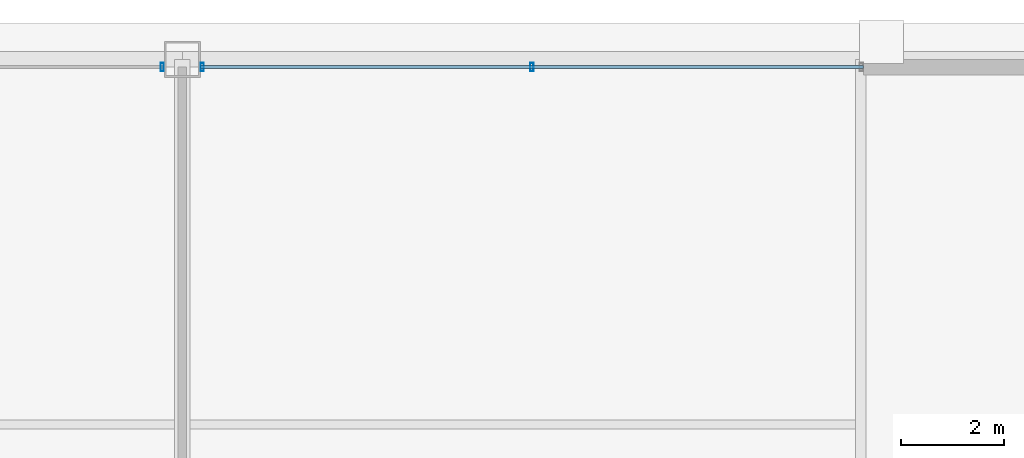
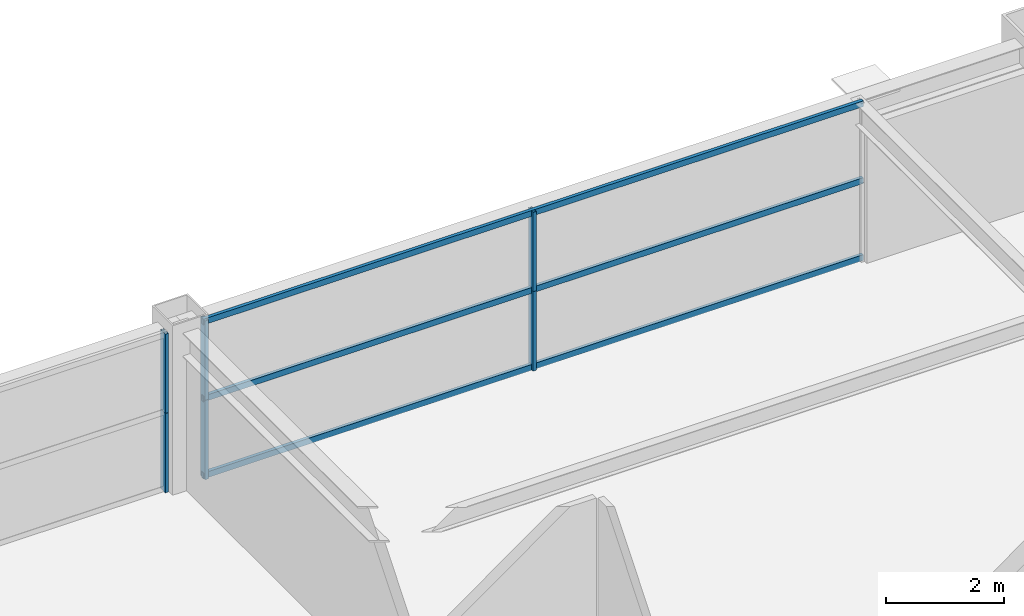
# One storey, part 28 of 36: 9 members, 2 elements without a shape of their own.
"""IFC4 building model written with IfcOpenShell, lengths in metres."""

import ifcopenshell
import ifcopenshell.guid

model = None  # the IFC model being written
_history = None  # IfcOwnerHistory: only IFC2X3 demands one
_inside = {}  # id of a spatial element -> (the spatial element, [elements in it])
_under = {}  # id of a project, library or spatial element -> (it, [spatial elements below it])
_declared = {}  # id of a project -> (the project, [libraries it declares])
_typed = {}  # id of a type object -> (the type object, [elements of that type])
_made_of = {}  # id of a material, layer set ... -> (it, [elements and type objects made of it])


def new_model(schema):
    """Start an empty IFC model of exactly this schema.

    Asked for "IFC4X3", IfcOpenShell would pick the latest addendum, in which some entities
    have other attributes; the version numbers below select the first issue.
    IFC2X3 requires an IfcOwnerHistory on every rooted entity: one is made here for all.
    """
    global model, _history
    if schema == "IFC4X3":
        model = ifcopenshell.file(schema_version=(4, 3, 0, 0))
    else:
        model = ifcopenshell.file(schema=schema)
    _inside.clear()
    _under.clear()
    _declared.clear()
    _typed.clear()
    _made_of.clear()
    _history = None
    if model.schema == "IFC2X3":
        org = make("IfcOrganization", Name="unknown")
        user = make(
            "IfcPersonAndOrganization",
            ThePerson=make("IfcPerson", FamilyName="unknown"),
            TheOrganization=org,
        )
        app = make(
            "IfcApplication",
            ApplicationDeveloper=org,
            Version="unknown",
            ApplicationFullName="unknown",
            ApplicationIdentifier="unknown",
        )
        _history = make(
            "IfcOwnerHistory",
            OwningUser=user,
            OwningApplication=app,
            ChangeAction="ADDED",
            CreationDate=0,
        )
    return model


def make(cls, **values):
    """One entity of the class cls with the attributes given. An attribute that is None is left unset."""
    return model.create_entity(
        cls, **{name: value for name, value in values.items() if value is not None}
    )


def rooted(cls, **values):
    """An entity with a GlobalId (a new one), such as an element, a storey or a relation."""
    return make(cls, GlobalId=ifcopenshell.guid.new(), OwnerHistory=_history, **values)


def si_unit(unit_type, name, prefix=None):
    """IfcSIUnit, for example si_unit("LENGTHUNIT", "METRE", prefix="MILLI")."""
    return make("IfcSIUnit", UnitType=unit_type, Prefix=prefix, Name=name)


def assignment(units):
    """IfcUnitAssignment: the units of a project."""
    return None if units is None else make("IfcUnitAssignment", Units=units)


def point(xyz):
    """IfcCartesianPoint."""
    return None if xyz is None else make("IfcCartesianPoint", Coordinates=xyz)


def direction(xyz):
    """IfcDirection."""
    return None if xyz is None else make("IfcDirection", DirectionRatios=xyz)


def frame(location, z_axis=None, x_axis=None):
    """IfcAxis2Placement3D, a coordinate frame: its origin and axes. An axis left out is left unset."""
    return make(
        "IfcAxis2Placement3D",
        Location=point(location),
        Axis=direction(z_axis),
        RefDirection=direction(x_axis),
    )


def frame_2d(location, x_axis=None):
    """IfcAxis2Placement2D, a coordinate frame in the plane: its origin and x axis."""
    return make(
        "IfcAxis2Placement2D", Location=point(location), RefDirection=direction(x_axis)
    )


def origin():
    """The frame at (0, 0, 0) with its axes left unset."""
    return frame((0.0, 0.0, 0.0))


def origin_2d():
    """The frame at (0, 0) in the plane with its x axis left unset."""
    return frame_2d((0.0, 0.0))


def place(relative_to, where):
    """IfcLocalPlacement: puts the frame where relative to a parent placement (None: the world)."""
    return make(
        "IfcLocalPlacement", PlacementRelTo=relative_to, RelativePlacement=where
    )


def context(
    kind, dimensions, precision=None, world=None, true_north=None, identifier=None
):
    """IfcGeometricRepresentationContext, for example the 3D "Model" context."""
    return make(
        "IfcGeometricRepresentationContext",
        ContextIdentifier=identifier,
        ContextType=kind,
        CoordinateSpaceDimension=dimensions,
        Precision=precision,
        WorldCoordinateSystem=world,
        TrueNorth=true_north,
    )


def subcontext(parent, identifier, kind, view, scale=None):
    """IfcGeometricRepresentationSubContext, for example "Body" below "Model"."""
    return make(
        "IfcGeometricRepresentationSubContext",
        ContextIdentifier=identifier,
        ContextType=kind,
        ParentContext=parent,
        TargetScale=scale,
        TargetView=view,
    )


def project(units=None, contexts=None):
    """IfcProject with its units and contexts."""
    return rooted(
        "IfcProject",
        Name="project",
        RepresentationContexts=contexts,
        UnitsInContext=assignment(units),
    )


def spatial(cls, under=None, at=None, **own):
    """A site, building, storey or space (cls), placed at a placement, below another one or the project."""
    s = rooted(cls, ObjectPlacement=at, **own)
    if under is not None:
        _under.setdefault(under.id(), (under, []))[1].append(s)
    return s


def profile(cls, at=None, kind="AREA", **sizes):
    """A parametric profile (cls). Its sizes go by their IFC names, for example OverallWidth=200.0."""
    return make(cls, ProfileType=kind, Position=at, **sizes)


def hollow_rectangle(**sizes):
    """IfcRectangleHollowProfileDef."""
    return profile("IfcRectangleHollowProfileDef", **sizes)


def extrude(swept, where, along, depth):
    """IfcExtrudedAreaSolid: the profile swept, set in the frame where, extruded along a direction by depth."""
    return make(
        "IfcExtrudedAreaSolid",
        SweptArea=swept,
        Position=where,
        ExtrudedDirection=direction(along),
        Depth=depth,
    )


def shape(context_of_items, identifier, shape_type, items):
    """IfcShapeRepresentation: the items that make up one representation, for example the "Body"."""
    return make(
        "IfcShapeRepresentation",
        ContextOfItems=context_of_items,
        RepresentationIdentifier=identifier,
        RepresentationType=shape_type,
        Items=items,
    )


def source(mapping_origin, context_of_items, identifier, shape_type, items):
    """IfcRepresentationMap: a shape defined once, which mapped items show again and again."""
    return make(
        "IfcRepresentationMap",
        MappingOrigin=mapping_origin,
        MappedRepresentation=shape(context_of_items, identifier, shape_type, items),
    )


def transform(
    local_origin,
    x_axis=None,
    y_axis=None,
    z_axis=None,
    scale=None,
    scale2=None,
    scale3=None,
    uniform=True,
):
    """IfcCartesianTransformationOperator3D, or its non-uniform kind. x_axis, y_axis, z_axis: its Axis1, 2, 3."""
    if uniform:
        return make(
            "IfcCartesianTransformationOperator3D",
            Axis1=direction(x_axis),
            Axis2=direction(y_axis),
            LocalOrigin=point(local_origin),
            Scale=scale,
            Axis3=direction(z_axis),
        )
    return make(
        "IfcCartesianTransformationOperator3DnonUniform",
        Axis1=direction(x_axis),
        Axis2=direction(y_axis),
        LocalOrigin=point(local_origin),
        Scale=scale,
        Axis3=direction(z_axis),
        Scale2=scale2,
        Scale3=scale3,
    )


def mapped(mapping_source, mapping_target):
    """IfcMappedItem: shows the shape of a source again, moved by a transform."""
    return make(
        "IfcMappedItem", MappingSource=mapping_source, MappingTarget=mapping_target
    )


def material(Name=None, Category=None):
    """IfcMaterial."""
    return make("IfcMaterial", Name=Name, Category=Category)


def layer(
    of_material, thickness, ventilated=None, Name=None, Category=None, Priority=None
):
    """IfcMaterialLayer: one layer of a wall or slab, of a material (None: an air gap)."""
    return make(
        "IfcMaterialLayer",
        Material=of_material,
        LayerThickness=thickness,
        IsVentilated=ventilated,
        Name=Name,
        Category=Category,
        Priority=Priority,
    )


def layer_set(layers, Name=None):
    """IfcMaterialLayerSet."""
    return make("IfcMaterialLayerSet", MaterialLayers=layers, LayerSetName=Name)


def material_profile(
    of_material, cross_section, Name=None, Category=None, Priority=None
):
    """IfcMaterialProfile: a cross section and its material."""
    return make(
        "IfcMaterialProfile",
        Name=Name,
        Material=of_material,
        Profile=cross_section,
        Priority=Priority,
        Category=Category,
    )


def profile_set(profiles, Name=None, composite=None):
    """IfcMaterialProfileSet."""
    return make(
        "IfcMaterialProfileSet",
        Name=Name,
        MaterialProfiles=profiles,
        CompositeProfile=composite,
    )


def made_of(thing, what):
    """Note that an element or type object is made of a material, layer set ...; save() writes the relation."""
    if what is not None:
        _made_of.setdefault(what.id(), (what, []))[1].append(thing)
    return thing


def type_object(cls, material=None, **own):
    """A type object (cls), such as IfcWallType, which elements share."""
    return made_of(rooted(cls, **own), material)


def element(
    cls,
    number,
    at=None,
    inside=None,
    cuts=None,
    type_object=None,
    material=None,
    context=None,
    identifier="Body",
    shape_type=None,
    held_by="IfcProductDefinitionShape",
    body=None,
    shapes=None,
    **own,
):
    """One element of the class cls, such as IfcWall. Its Tag is "e" and its number.

    at: its placement. inside: the storey or other place that contains it. cuts: it is an
    opening in that element (IfcRelVoidsElement). A single representation is given by context,
    identifier, shape_type and body (its items); several are given by shapes. held_by: the class
    of the entity that holds the representations. save() writes the other relations.
    """
    e = rooted(cls, Tag="e%d" % number, ObjectPlacement=at, **own)
    if body is not None:
        shapes = [shape(context, identifier, shape_type, body)]
    if shapes is not None:
        e.Representation = make(held_by, Representations=shapes)
    if inside is not None:
        _inside.setdefault(inside.id(), (inside, []))[1].append(e)
    if cuts is not None:
        rooted(
            "IfcRelVoidsElement", RelatingBuildingElement=cuts, RelatedOpeningElement=e
        )
    if type_object is not None:
        _typed.setdefault(type_object.id(), (type_object, []))[1].append(e)
    return made_of(e, material)


def aggregate(whole, parts):
    """IfcRelAggregates: a whole, such as a stair, and the parts it consists of."""
    return rooted("IfcRelAggregates", RelatingObject=whole, RelatedObjects=parts)


def save(model, path):
    """Write the relations noted so far, then the file.

    IfcRelAggregates (storeys below a building ...), IfcRelContainedInSpatialStructure (elements
    in a storey), IfcRelDefinesByType, IfcRelAssociatesMaterial and IfcRelDeclares: one each for
    every whole, place, type object, material and project.
    """
    for whole, parts in _under.values():
        aggregate(whole, parts)
    for where, things in _inside.values():
        rooted(
            "IfcRelContainedInSpatialStructure",
            RelatedElements=things,
            RelatingStructure=where,
        )
    for kind, things in _typed.values():
        rooted("IfcRelDefinesByType", RelatedObjects=things, RelatingType=kind)
    for what, things in _made_of.values():
        rooted("IfcRelAssociatesMaterial", RelatedObjects=things, RelatingMaterial=what)
    for by, libraries in _declared.values():
        rooted("IfcRelDeclares", RelatingContext=by, RelatedDefinitions=libraries)
    model.write(path)


model = new_model("IFC4")

# Units and contexts
model_context = context("Model", 3, precision=1e-05, world=origin(), true_north=direction((0.0, 1.0)))
body_context = subcontext(model_context, "Body", "Model", "MODEL_VIEW")
ifc_project = project(units=[si_unit("LENGTHUNIT", "METRE"), si_unit("AREAUNIT", "SQUARE_METRE"), si_unit("VOLUMEUNIT", "CUBIC_METRE"), si_unit("PLANEANGLEUNIT", "RADIAN"), si_unit("MASSUNIT", "GRAM", prefix="KILO"), si_unit("THERMODYNAMICTEMPERATUREUNIT", "KELVIN"), si_unit("POWERUNIT", "WATT")], contexts=[model_context])

# Site, building, storey
site_placement = place(None, origin())
site = spatial("IfcSite", under=ifc_project, at=site_placement, CompositionType="ELEMENT")
building_placement = place(site_placement, origin())
building = spatial("IfcBuilding", under=site, at=building_placement, Name="Yuzanri Waterfront Tower", CompositionType="ELEMENT")
storey_placement = place(building_placement, frame((0.0, 0.0, 231.10009765625)))
storey = spatial("IfcBuildingStorey", under=building, at=storey_placement, Name="L61", CompositionType="ELEMENT", Elevation=231.10009765625)

# Curtain wall, members
ifc_material_1 = material(Name="Anodized Architectural Bronze", Category="metal")
ifc_layer = layer(ifc_material_1, 0.159912109375)
ifc_layer_set = layer_set([ifc_layer], Name="Anodized Architectural Bronze")
curtain_wall_type = type_object("IfcCurtainWallType", Name="Anodized Bronze Mid-Rise Residential Acoustic Unitized Curtain Wall 7200", PredefinedType="NOTDEFINED", material=ifc_layer_set)
curtain_wall_1_placement = place(storey_placement, origin())
curtain_wall_1 = element("IfcCurtainWall", 1, at=curtain_wall_1_placement, inside=storey, type_object=curtain_wall_type, Name="L61 Curtain Wall CW-L61-NL", PredefinedType="NOTDEFINED")
ifc_material_2 = material(Name="Anodized Architectural Bronze", Category="metal")
ifc_material_profile_1 = material_profile(ifc_material_2, hollow_rectangle(XDim=0.06494140625, YDim=0.159912109375, WallThickness=0.00341796875, at=origin_2d()), Name="CWM 65x160")
ifc_profile_set_1 = profile_set([ifc_material_profile_1], Name="Anodized Architectural Bronze")
member_type_1 = type_object("IfcMemberType", Name="Anodized Bronze Upper-Zone Curtain-Wall Mullion 65x160", PredefinedType="MULLION", material=ifc_profile_set_1)
shared_shape_1 = source(origin(), body_context, "Body", "SweptSolid", [
    extrude(hollow_rectangle(XDim=0.06494140625, YDim=0.159912109375, WallThickness=0.00341796875, at=origin_2d()), origin(), (0.0, 0.0, 1.0), 1.637939453125),
])
member_1_placement = place(storey_placement, frame((36.610107421875, 46.25, 0.0), z_axis=(0.0, 0.0, 1.0), x_axis=(1.0, 0.0, 0.0)))
member_1 = element("IfcMember", 2, at=member_1_placement, type_object=member_type_1, Name="CW-L61-NL Lower Mullion 02", PredefinedType="MULLION", context=body_context, shape_type="MappedRepresentation", body=[
    mapped(shared_shape_1, transform((0.0, 0.0, 0.0), scale=1.0)),
])
member_2_placement = place(storey_placement, frame((36.610107421875, 46.25, 1.641845703125), z_axis=(0.0, 0.0, 1.0), x_axis=(1.0, 0.0, 0.0)))
member_2 = element("IfcMember", 3, at=member_2_placement, type_object=member_type_1, Name="CW-L61-NL Upper Mullion 02", PredefinedType="MULLION", context=body_context, shape_type="MappedRepresentation", body=[
    mapped(shared_shape_1, transform((0.0, 0.0, 0.0), scale=1.0)),
])
aggregate(curtain_wall_1, [member_1, member_2])

curtain_wall_2_placement = place(storey_placement, origin())
curtain_wall_2 = element("IfcCurtainWall", 4, at=curtain_wall_2_placement, inside=storey, type_object=curtain_wall_type, Name="L61 Curtain Wall CW-L61-NR", PredefinedType="NOTDEFINED")
member_3_placement = place(storey_placement, frame((37.389892578125, 46.25, 0.0), z_axis=(0.0, 0.0, 1.0), x_axis=(1.0, 0.0, 0.0)))
member_3 = element("IfcMember", 5, at=member_3_placement, type_object=member_type_1, Name="CW-L61-NR Lower Mullion 00", PredefinedType="MULLION", context=body_context, shape_type="MappedRepresentation", body=[
    mapped(shared_shape_1, transform((0.0, 0.0, 0.0), scale=1.0)),
])
member_4_placement = place(storey_placement, frame((37.389892578125, 46.25, 1.641845703125), z_axis=(0.0, 0.0, 1.0), x_axis=(1.0, 0.0, 0.0)))
member_4 = element("IfcMember", 6, at=member_4_placement, type_object=member_type_1, Name="CW-L61-NR Upper Mullion 00", PredefinedType="MULLION", context=body_context, shape_type="MappedRepresentation", body=[
    mapped(shared_shape_1, transform((0.0, 0.0, 0.0), scale=1.0)),
])
member_5_placement = place(storey_placement, frame((43.800048828125, 46.25, 0.0), z_axis=(0.0, 0.0, 1.0), x_axis=(1.0, 0.0, 0.0)))
member_5 = element("IfcMember", 7, at=member_5_placement, type_object=member_type_1, Name="CW-L61-NR Lower Mullion 01", PredefinedType="MULLION", context=body_context, shape_type="MappedRepresentation", body=[
    mapped(shared_shape_1, transform((0.0, 0.0, 0.0), scale=1.0)),
])
member_6_placement = place(storey_placement, frame((43.800048828125, 46.25, 1.641845703125), z_axis=(0.0, 0.0, 1.0), x_axis=(1.0, 0.0, 0.0)))
member_6 = element("IfcMember", 8, at=member_6_placement, type_object=member_type_1, Name="CW-L61-NR Upper Mullion 01", PredefinedType="MULLION", context=body_context, shape_type="MappedRepresentation", body=[
    mapped(shared_shape_1, transform((0.0, 0.0, 0.0), scale=1.0)),
])
ifc_material_3 = material(Name="Anodized Architectural Bronze", Category="metal")
ifc_material_profile_2 = material_profile(ifc_material_3, hollow_rectangle(XDim=0.06494140625, YDim=0.1201171875, WallThickness=0.00341796875, at=origin_2d()), Name="CWT 65x120")
ifc_profile_set_2 = profile_set([ifc_material_profile_2], Name="Anodized Architectural Bronze")
member_type_2 = type_object("IfcMemberType", Name="Anodized Bronze Secondary Curtain-Wall Transom 65x120", PredefinedType="USERDEFINED", material=ifc_profile_set_2)
shared_shape_2 = source(origin(), body_context, "Body", "SweptSolid", [
    extrude(hollow_rectangle(XDim=0.06494140625, YDim=0.1201171875, WallThickness=0.00341796875, at=origin_2d()), origin(), (0.0, 0.0, 1.0), 12.89990234375),
])
member_7_placement = place(storey_placement, frame((37.35009765625, 46.25, 0.0498046875), z_axis=(1.0, 0.0, 0.0), x_axis=(0.0, 1.0, 0.0)))
member_7 = element("IfcMember", 9, at=member_7_placement, type_object=member_type_2, Name="CW-L61-NR Transom 1", ObjectType="TRANSOM", PredefinedType="USERDEFINED", context=body_context, shape_type="MappedRepresentation", body=[
    mapped(shared_shape_2, transform((0.0, 0.0, 0.0), scale=1.0)),
])
member_8_placement = place(storey_placement, frame((37.35009765625, 46.25, 1.639892578125), z_axis=(1.0, 0.0, 0.0), x_axis=(0.0, 1.0, 0.0)))
member_8 = element("IfcMember", 10, at=member_8_placement, type_object=member_type_2, Name="CW-L61-NR Transom 2", ObjectType="TRANSOM", PredefinedType="USERDEFINED", context=body_context, shape_type="MappedRepresentation", body=[
    mapped(shared_shape_2, transform((0.0, 0.0, 0.0), scale=1.0)),
])
member_9_placement = place(storey_placement, frame((37.35009765625, 46.25, 3.22998046875), z_axis=(1.0, 0.0, 0.0), x_axis=(0.0, 1.0, 0.0)))
member_9 = element("IfcMember", 11, at=member_9_placement, type_object=member_type_2, Name="CW-L61-NR Transom 3", ObjectType="TRANSOM", PredefinedType="USERDEFINED", context=body_context, shape_type="MappedRepresentation", body=[
    mapped(shared_shape_2, transform((0.0, 0.0, 0.0), scale=1.0)),
])
aggregate(curtain_wall_2, [member_3, member_4, member_5, member_6, member_7, member_8, member_9])

save(model, "model.ifc")
